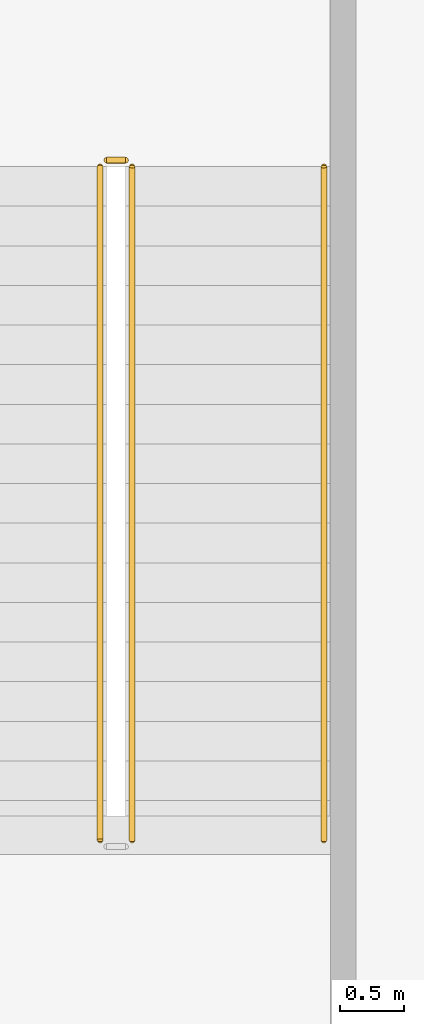
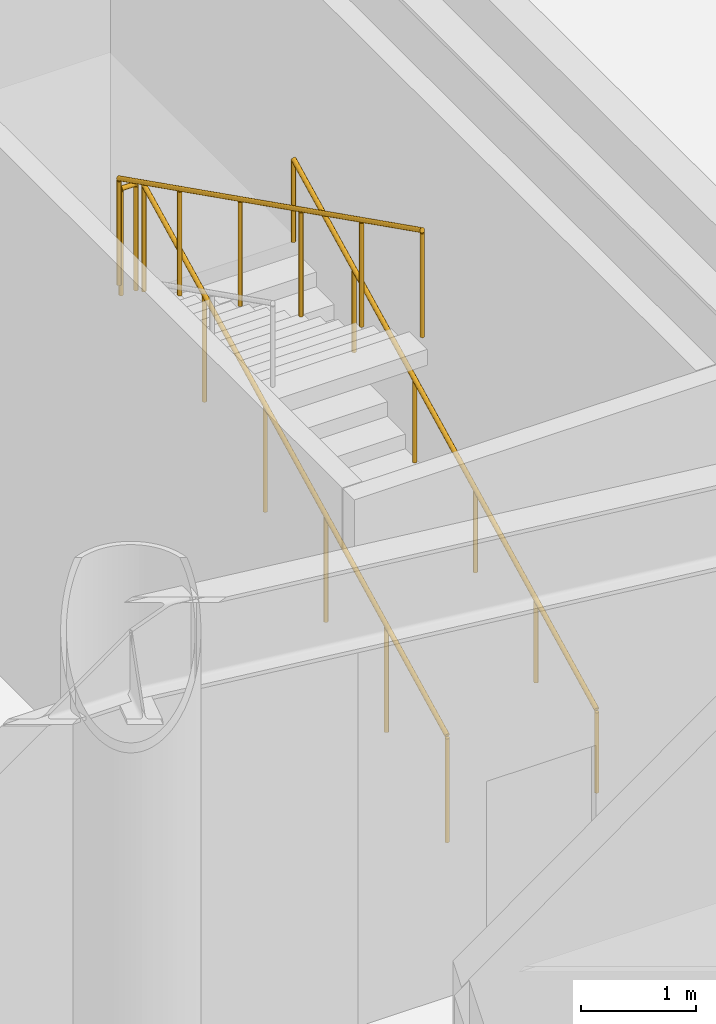
# One storey, part 19 of 20: 4 railings.
"""IFC4 building model written with IfcOpenShell, lengths in metres."""

import ifcopenshell
import ifcopenshell.guid

model = None  # the IFC model being written
_history = None  # IfcOwnerHistory: only IFC2X3 demands one
_inside = {}  # id of a spatial element -> (the spatial element, [elements in it])
_under = {}  # id of a project, library or spatial element -> (it, [spatial elements below it])
_declared = {}  # id of a project -> (the project, [libraries it declares])
_typed = {}  # id of a type object -> (the type object, [elements of that type])
_made_of = {}  # id of a material, layer set ... -> (it, [elements and type objects made of it])


def new_model(schema):
    """Start an empty IFC model of exactly this schema.

    Asked for "IFC4X3", IfcOpenShell would pick the latest addendum, in which some entities
    have other attributes; the version numbers below select the first issue.
    IFC2X3 requires an IfcOwnerHistory on every rooted entity: one is made here for all.
    """
    global model, _history
    if schema == "IFC4X3":
        model = ifcopenshell.file(schema_version=(4, 3, 0, 0))
    else:
        model = ifcopenshell.file(schema=schema)
    _inside.clear()
    _under.clear()
    _declared.clear()
    _typed.clear()
    _made_of.clear()
    _history = None
    if model.schema == "IFC2X3":
        org = make("IfcOrganization", Name="unknown")
        user = make(
            "IfcPersonAndOrganization",
            ThePerson=make("IfcPerson", FamilyName="unknown"),
            TheOrganization=org,
        )
        app = make(
            "IfcApplication",
            ApplicationDeveloper=org,
            Version="unknown",
            ApplicationFullName="unknown",
            ApplicationIdentifier="unknown",
        )
        _history = make(
            "IfcOwnerHistory",
            OwningUser=user,
            OwningApplication=app,
            ChangeAction="ADDED",
            CreationDate=0,
        )
    return model


def make(cls, **values):
    """One entity of the class cls with the attributes given. An attribute that is None is left unset."""
    return model.create_entity(
        cls, **{name: value for name, value in values.items() if value is not None}
    )


def rooted(cls, **values):
    """An entity with a GlobalId (a new one), such as an element, a storey or a relation."""
    return make(cls, GlobalId=ifcopenshell.guid.new(), OwnerHistory=_history, **values)


def si_unit(unit_type, name, prefix=None):
    """IfcSIUnit, for example si_unit("LENGTHUNIT", "METRE", prefix="MILLI")."""
    return make("IfcSIUnit", UnitType=unit_type, Prefix=prefix, Name=name)


def assignment(units):
    """IfcUnitAssignment: the units of a project."""
    return None if units is None else make("IfcUnitAssignment", Units=units)


def point(xyz):
    """IfcCartesianPoint."""
    return None if xyz is None else make("IfcCartesianPoint", Coordinates=xyz)


def direction(xyz):
    """IfcDirection."""
    return None if xyz is None else make("IfcDirection", DirectionRatios=xyz)


def frame(location, z_axis=None, x_axis=None):
    """IfcAxis2Placement3D, a coordinate frame: its origin and axes. An axis left out is left unset."""
    return make(
        "IfcAxis2Placement3D",
        Location=point(location),
        Axis=direction(z_axis),
        RefDirection=direction(x_axis),
    )


def frame_2d(location, x_axis=None):
    """IfcAxis2Placement2D, a coordinate frame in the plane: its origin and x axis."""
    return make(
        "IfcAxis2Placement2D", Location=point(location), RefDirection=direction(x_axis)
    )


def origin():
    """The frame at (0, 0, 0) with its axes left unset."""
    return frame((0.0, 0.0, 0.0))


def origin_2d():
    """The frame at (0, 0) in the plane with its x axis left unset."""
    return frame_2d((0.0, 0.0))


def place(relative_to, where):
    """IfcLocalPlacement: puts the frame where relative to a parent placement (None: the world)."""
    return make(
        "IfcLocalPlacement", PlacementRelTo=relative_to, RelativePlacement=where
    )


def context(
    kind, dimensions, precision=None, world=None, true_north=None, identifier=None
):
    """IfcGeometricRepresentationContext, for example the 3D "Model" context."""
    return make(
        "IfcGeometricRepresentationContext",
        ContextIdentifier=identifier,
        ContextType=kind,
        CoordinateSpaceDimension=dimensions,
        Precision=precision,
        WorldCoordinateSystem=world,
        TrueNorth=true_north,
    )


def subcontext(parent, identifier, kind, view, scale=None):
    """IfcGeometricRepresentationSubContext, for example "Body" below "Model"."""
    return make(
        "IfcGeometricRepresentationSubContext",
        ContextIdentifier=identifier,
        ContextType=kind,
        ParentContext=parent,
        TargetScale=scale,
        TargetView=view,
    )


def project(units=None, contexts=None):
    """IfcProject with its units and contexts."""
    return rooted(
        "IfcProject",
        Name="project",
        RepresentationContexts=contexts,
        UnitsInContext=assignment(units),
    )


def spatial(cls, under=None, at=None, **own):
    """A site, building, storey or space (cls), placed at a placement, below another one or the project."""
    s = rooted(cls, ObjectPlacement=at, **own)
    if under is not None:
        _under.setdefault(under.id(), (under, []))[1].append(s)
    return s


def profile(cls, at=None, kind="AREA", **sizes):
    """A parametric profile (cls). Its sizes go by their IFC names, for example OverallWidth=200.0."""
    return make(cls, ProfileType=kind, Position=at, **sizes)


def circle(**sizes):
    """IfcCircleProfileDef."""
    return profile("IfcCircleProfileDef", **sizes)


def extrude(swept, where, along, depth):
    """IfcExtrudedAreaSolid: the profile swept, set in the frame where, extruded along a direction by depth."""
    return make(
        "IfcExtrudedAreaSolid",
        SweptArea=swept,
        Position=where,
        ExtrudedDirection=direction(along),
        Depth=depth,
    )


def shape(context_of_items, identifier, shape_type, items):
    """IfcShapeRepresentation: the items that make up one representation, for example the "Body"."""
    return make(
        "IfcShapeRepresentation",
        ContextOfItems=context_of_items,
        RepresentationIdentifier=identifier,
        RepresentationType=shape_type,
        Items=items,
    )


def material(Name=None, Category=None):
    """IfcMaterial."""
    return make("IfcMaterial", Name=Name, Category=Category)


def made_of(thing, what):
    """Note that an element or type object is made of a material, layer set ...; save() writes the relation."""
    if what is not None:
        _made_of.setdefault(what.id(), (what, []))[1].append(thing)
    return thing


def type_object(cls, material=None, **own):
    """A type object (cls), such as IfcWallType, which elements share."""
    return made_of(rooted(cls, **own), material)


def element(
    cls,
    number,
    at=None,
    inside=None,
    cuts=None,
    type_object=None,
    material=None,
    context=None,
    identifier="Body",
    shape_type=None,
    held_by="IfcProductDefinitionShape",
    body=None,
    shapes=None,
    **own,
):
    """One element of the class cls, such as IfcWall. Its Tag is "e" and its number.

    at: its placement. inside: the storey or other place that contains it. cuts: it is an
    opening in that element (IfcRelVoidsElement). A single representation is given by context,
    identifier, shape_type and body (its items); several are given by shapes. held_by: the class
    of the entity that holds the representations. save() writes the other relations.
    """
    e = rooted(cls, Tag="e%d" % number, ObjectPlacement=at, **own)
    if body is not None:
        shapes = [shape(context, identifier, shape_type, body)]
    if shapes is not None:
        e.Representation = make(held_by, Representations=shapes)
    if inside is not None:
        _inside.setdefault(inside.id(), (inside, []))[1].append(e)
    if cuts is not None:
        rooted(
            "IfcRelVoidsElement", RelatingBuildingElement=cuts, RelatedOpeningElement=e
        )
    if type_object is not None:
        _typed.setdefault(type_object.id(), (type_object, []))[1].append(e)
    return made_of(e, material)


def aggregate(whole, parts):
    """IfcRelAggregates: a whole, such as a stair, and the parts it consists of."""
    return rooted("IfcRelAggregates", RelatingObject=whole, RelatedObjects=parts)


def save(model, path):
    """Write the relations noted so far, then the file.

    IfcRelAggregates (storeys below a building ...), IfcRelContainedInSpatialStructure (elements
    in a storey), IfcRelDefinesByType, IfcRelAssociatesMaterial and IfcRelDeclares: one each for
    every whole, place, type object, material and project.
    """
    for whole, parts in _under.values():
        aggregate(whole, parts)
    for where, things in _inside.values():
        rooted(
            "IfcRelContainedInSpatialStructure",
            RelatedElements=things,
            RelatingStructure=where,
        )
    for kind, things in _typed.values():
        rooted("IfcRelDefinesByType", RelatedObjects=things, RelatingType=kind)
    for what, things in _made_of.values():
        rooted("IfcRelAssociatesMaterial", RelatedObjects=things, RelatingMaterial=what)
    for by, libraries in _declared.values():
        rooted("IfcRelDeclares", RelatingContext=by, RelatedDefinitions=libraries)
    model.write(path)


model = new_model("IFC4")

# Units and contexts
model_context = context("Model", 3, precision=1e-05, world=origin(), true_north=direction((0.0, 1.0)))
body_context = subcontext(model_context, "Body", "Model", "MODEL_VIEW")
ifc_project = project(units=[si_unit("LENGTHUNIT", "METRE"), si_unit("AREAUNIT", "SQUARE_METRE"), si_unit("VOLUMEUNIT", "CUBIC_METRE"), si_unit("PLANEANGLEUNIT", "RADIAN"), si_unit("MASSUNIT", "GRAM", prefix="KILO")], contexts=[model_context])

# Site, building, storey
site_placement = place(None, origin())
site = spatial("IfcSite", under=ifc_project, at=site_placement, CompositionType="ELEMENT")
building_placement = place(site_placement, origin())
building = spatial("IfcBuilding", under=site, at=building_placement, Name="Vaeldorn Concourse Tower", CompositionType="ELEMENT")
storey_placement = place(building_placement, origin())
storey = spatial("IfcBuildingStorey", under=building, at=storey_placement, Name="L00", CompositionType="ELEMENT", Elevation=0.0)

# Railings
ifc_material = material(Name="Anodised Bronze Aluminium", Category="aluminium")
railing_type_1 = type_object("IfcRailingType", Name="RL-STAIR-GUARD", PredefinedType="GUARDRAIL", material=ifc_material)
railing_1_placement = place(storey_placement, frame((64.699951171875, 38.449951171875, 0.155517578125)))
element("IfcRailing", 1, at=railing_1_placement, inside=storey, type_object=railing_type_1, Name="L00 ST-4 stair guard 1", PredefinedType="GUARDRAIL", context=body_context, shape_type="SweptSolid", body=[
    extrude(circle(Radius=0.02392578125, at=origin_2d()), frame((0.0, 0.0, 1.1259765625), z_axis=(0.0, 0.893780331391, 0.448504982379), x_axis=(-1.0, 0.0, 0.0)), (0.0, 0.0, 1.0), 5.896240234375),
    extrude(circle(Radius=0.02099609375, at=origin_2d()), origin(), (0.0, 0.0, 1.0), 1.101806640625),
    extrude(circle(Radius=0.02099609375, at=origin_2d()), frame((0.0, 1.053955078125, 0.52880859375)), (0.0, 0.0, 1.0), 1.101806640625),
    extrude(circle(Radius=0.02099609375, at=origin_2d()), frame((0.0, 2.10791015625, 1.057861328125)), (0.0, 0.0, 1.0), 1.101806640625),
    extrude(circle(Radius=0.02099609375, at=origin_2d()), frame((0.0, 3.162109375, 1.586669921875)), (0.0, 0.0, 1.0), 1.101806640625),
    extrude(circle(Radius=0.02099609375, at=origin_2d()), frame((0.0, 4.216064453125, 2.11572265625)), (0.0, 0.0, 1.0), 1.101806640625),
    extrude(circle(Radius=0.02099609375, at=origin_2d()), frame((0.0, 5.27001953125, 2.64453125)), (0.0, 0.0, 1.0), 1.101806640625),
])
railing_2_placement = place(storey_placement, frame((64.64990234375, 43.77001953125, 2.800048828125)))
element("IfcRailing", 2, at=railing_2_placement, inside=storey, type_object=railing_type_1, Name="L00 ST-4 stair guard 2", PredefinedType="GUARDRAIL", context=body_context, shape_type="SweptSolid", body=[
    extrude(circle(Radius=0.02392578125, at=origin_2d()), frame((0.0, 0.0, 1.1259765625), z_axis=(-1.0, 0.0, 0.0), x_axis=(0.0, -1.0, 0.0)), (0.0, 0.0, 1.0), 0.14990234375),
    extrude(circle(Radius=0.02099609375, at=origin_2d()), origin(), (0.0, 0.0, 1.0), 1.101806640625),
    extrude(circle(Radius=0.02099609375, at=origin_2d()), frame((-0.14990234375, 0.0, 0.0)), (0.0, 0.0, 1.0), 1.101806640625),
])
railing_3_placement = place(storey_placement, frame((64.449951171875, 43.719970703125, 2.95556640625)))
element("IfcRailing", 3, at=railing_3_placement, inside=storey, type_object=railing_type_1, Name="L00 ST-4 stair guard 3", PredefinedType="GUARDRAIL", context=body_context, shape_type="SweptSolid", body=[
    extrude(circle(Radius=0.02392578125, at=origin_2d()), frame((0.0, 0.0, 1.1259765625), z_axis=(0.0, -0.893780331391, 0.448504982379), x_axis=(1.0, 0.0, 0.0)), (0.0, 0.0, 1.0), 5.896240234375),
    extrude(circle(Radius=0.02099609375, at=origin_2d()), origin(), (0.0, 0.0, 1.0), 1.101806640625),
    extrude(circle(Radius=0.02099609375, at=origin_2d()), frame((0.0, -1.053955078125, 0.52880859375)), (0.0, 0.0, 1.0), 1.101806640625),
    extrude(circle(Radius=0.02099609375, at=origin_2d()), frame((0.0, -2.10791015625, 1.057861328125)), (0.0, 0.0, 1.0), 1.101806640625),
    extrude(circle(Radius=0.02099609375, at=origin_2d()), frame((0.0, -3.162109375, 1.586669921875)), (0.0, 0.0, 1.0), 1.101806640625),
    extrude(circle(Radius=0.02099609375, at=origin_2d()), frame((0.0, -4.216064453125, 2.11572265625)), (0.0, 0.0, 1.0), 1.101806640625),
    extrude(circle(Radius=0.02099609375, at=origin_2d()), frame((0.0, -5.27001953125, 2.64453125)), (0.0, 0.0, 1.0), 1.101806640625),
])
railing_type_2 = type_object("IfcRailingType", Name="RL-STAIR-HANDRAIL", PredefinedType="HANDRAIL", material=ifc_material)
railing_4_placement = place(storey_placement, frame((66.199951171875, 38.449951171875, 0.155517578125)))
element("IfcRailing", 4, at=railing_4_placement, inside=storey, type_object=railing_type_2, Name="L00 ST-4 stair handrail 1", PredefinedType="HANDRAIL", context=body_context, shape_type="SweptSolid", body=[
    extrude(circle(Radius=0.02392578125, at=origin_2d()), frame((0.0, 0.0, 0.8759765625), z_axis=(0.0, 0.893780331391, 0.448504982379), x_axis=(-1.0, 0.0, 0.0)), (0.0, 0.0, 1.0), 5.896240234375),
    extrude(circle(Radius=0.02099609375, at=origin_2d()), origin(), (0.0, 0.0, 1.0), 0.851806640625),
    extrude(circle(Radius=0.02099609375, at=origin_2d()), frame((0.0, 1.053955078125, 0.52880859375)), (0.0, 0.0, 1.0), 0.851806640625),
    extrude(circle(Radius=0.02099609375, at=origin_2d()), frame((0.0, 2.10791015625, 1.057861328125)), (0.0, 0.0, 1.0), 0.851806640625),
    extrude(circle(Radius=0.02099609375, at=origin_2d()), frame((0.0, 3.162109375, 1.586669921875)), (0.0, 0.0, 1.0), 0.851806640625),
    extrude(circle(Radius=0.02099609375, at=origin_2d()), frame((0.0, 4.216064453125, 2.11572265625)), (0.0, 0.0, 1.0), 0.851806640625),
    extrude(circle(Radius=0.02099609375, at=origin_2d()), frame((0.0, 5.27001953125, 2.64453125)), (0.0, 0.0, 1.0), 0.851806640625),
])

save(model, "model.ifc")
